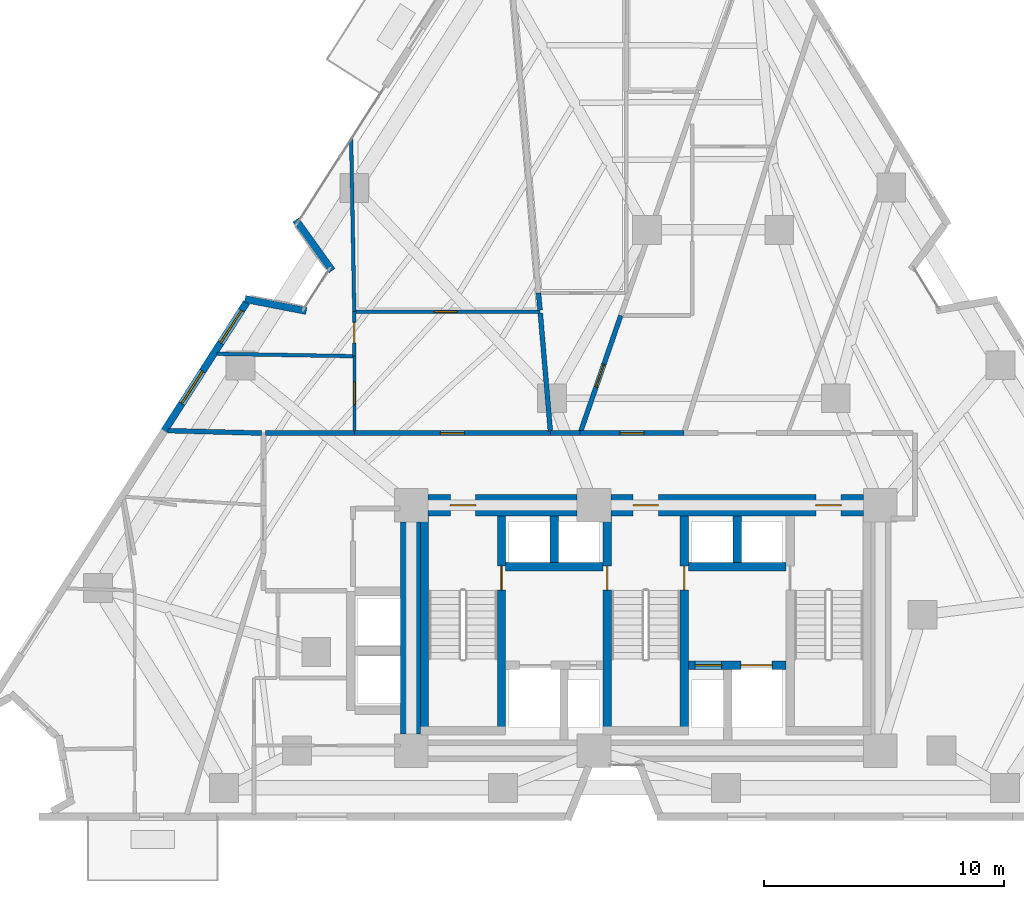
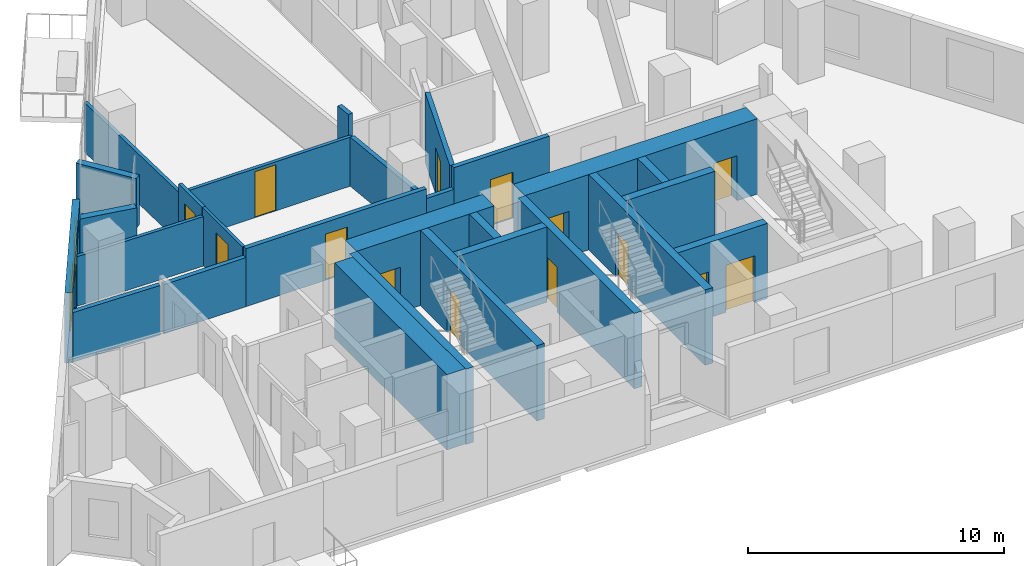
# One storey, part 7 of 13: 28 walls, 14 doors, 2 windows, 16 openings.
"""IFC4 building model written with IfcOpenShell, lengths in metres."""

from ifc_helpers import new_model, si_unit, direction, frame, frame_2d, origin, place, context, subcontext, project, spatial, rectangle, extrude, material, layer, layer_set, type_object, element, fill, save


model = new_model("IFC4")

# Units and contexts
model_context = context("Model", 3, precision=1e-05, world=origin(), true_north=direction((0.0, 1.0)))
body_context = subcontext(model_context, "Body", "Model", "MODEL_VIEW")
ifc_project = project(units=[si_unit("LENGTHUNIT", "METRE"), si_unit("AREAUNIT", "SQUARE_METRE"), si_unit("VOLUMEUNIT", "CUBIC_METRE"), si_unit("PLANEANGLEUNIT", "RADIAN"), si_unit("MASSUNIT", "GRAM", prefix="KILO")], contexts=[model_context])

# Site, building, storey
site_placement = place(None, origin())
site = spatial("IfcSite", under=ifc_project, at=site_placement, CompositionType="ELEMENT")
building_placement = place(site_placement, origin())
building = spatial("IfcBuilding", under=site, at=building_placement, Name="Almagre Mirador Tower", CompositionType="ELEMENT")
storey_placement = place(building_placement, frame((0.0, 0.0, 89.39990234375)))
storey = spatial("IfcBuildingStorey", under=building, at=storey_placement, Name="L22", CompositionType="ELEMENT", Elevation=89.39990234375)

# Walls
ifc_material_1 = material(Name="Precast concrete C50/60", Category="concrete")
ifc_layer_1 = layer(ifc_material_1, 0.300048828125)
ifc_layer_set_1 = layer_set([ifc_layer_1], Name="Precast concrete C50/60")
wall_type_1 = type_object("IfcWallType", Name="WAL-EXT-300", PredefinedType="SOLIDWALL", material=ifc_layer_set_1)
wall_1_placement = place(storey_placement, frame((20.6376953125, 23.32666015625, 0.0), z_axis=(0.0, 0.0, 1.0), x_axis=(0.981760587394, -0.190121406053, 0.0)))
element("IfcWall", 1, at=wall_1_placement, inside=storey, type_object=wall_type_1, Name="L22 expressed almagre precast frame wall 01", PredefinedType="SOLIDWALL", context=body_context, shape_type="SweptSolid", body=[
    extrude(rectangle(XDim=2.593994140625, YDim=0.300048828125, at=frame_2d((1.296875, 0.0))), origin(), (0.0, 0.0, 1.0), 2.375),
])
wall_2_placement = place(storey_placement, frame((24.255615234375, 24.50634765625, 0.0), z_axis=(0.0, 0.0, 1.0), x_axis=(-0.58299973372, 0.812472344442, 0.0)))
element("IfcWall", 2, at=wall_2_placement, inside=storey, type_object=wall_type_1, Name="L22 expressed almagre precast frame wall 02", PredefinedType="SOLIDWALL", context=body_context, shape_type="SweptSolid", body=[
    extrude(rectangle(XDim=2.59375, YDim=0.300048828125, at=frame_2d((1.296875, 0.0))), origin(), (0.0, 0.0, 1.0), 2.375),
])

# Wall, openings, windows
wall_3_placement = place(storey_placement, frame((17.25146484375, 17.80029296875, 0.0), z_axis=(0.0, 0.0, 1.0), x_axis=(0.539458702909, 0.84201205921, 0.0)))
wall_3 = element("IfcWall", 3, at=wall_3_placement, inside=storey, type_object=wall_type_1, Name="L22 expressed almagre precast frame wall 35", PredefinedType="SOLIDWALL", context=body_context, shape_type="SweptSolid", body=[
    extrude(rectangle(XDim=6.396484375, YDim=0.300048828125, at=frame_2d((3.1982421875, 0.0))), origin(), (0.0, 0.0, 1.0), 3.35009765625),
])
opening_1_placement = place(wall_3_placement, frame((4.39990234375, 0.0, 0.550048828125)))
opening_1 = element("IfcOpeningElement", 4, at=opening_1_placement, cuts=wall_3, Name="Opening WN-06", PredefinedType="OPENING", context=body_context, shape_type="SweptSolid", body=[
    extrude(rectangle(XDim=1.60009765625, YDim=2.199951171875, at=frame_2d((0.800048828125, 1.10009765625))), frame((0.0, 0.159902, 0.0), z_axis=(0.0, -1.0, 0.0), x_axis=(1.0, 0.0, 0.0)), (0.0, 0.0, 1.0), 0.320049),
])
opening_2_placement = place(wall_3_placement, frame((1.39990234375, 0.0, 0.550048828125)))
opening_2 = element("IfcOpeningElement", 5, at=opening_2_placement, cuts=wall_3, Name="Opening WN-06", PredefinedType="OPENING", context=body_context, shape_type="SweptSolid", body=[
    extrude(rectangle(XDim=1.60009765625, YDim=2.199951171875, at=frame_2d((0.800048828125, 1.10009765625))), frame((0.0, 0.159902, 0.0), z_axis=(0.0, -1.0, 0.0), x_axis=(1.0, 0.0, 0.0)), (0.0, 0.0, 1.0), 0.320049),
])
ifc_material_2 = material(Name="Dark solar-control laminated hurricane glass", Category="glass")
window_type = type_object("IfcWindowType", Name="WIN-1600X2200", PartitioningType="DOUBLE_PANEL_VERTICAL", PredefinedType="WINDOW", material=ifc_material_2)
window_1_placement = place(opening_1_placement, origin())
window_1 = element("IfcWindow", 6, at=window_1_placement, inside=storey, type_object=window_type, Name="L22 recessed hurricane window L22-UF-HB", OverallHeight=2.199951171875, OverallWidth=1.60009765625, PartitioningType="SINGLE_PANEL", PredefinedType="WINDOW", context=body_context, shape_type="SweptSolid", body=[
    extrude(rectangle(XDim=1.60009765625, YDim=2.199951171875, at=frame_2d((0.800048828125, 1.10009765625))), frame((0.0, 0.030029296875, 0.0), z_axis=(0.0, -1.0, 0.0), x_axis=(1.0, 0.0, 0.0)), (0.0, 0.0, 1.0), 0.06005859375),
])
fill(opening_1, window_1)
window_2_placement = place(opening_2_placement, origin())
window_2 = element("IfcWindow", 7, at=window_2_placement, inside=storey, type_object=window_type, Name="L22 recessed hurricane window L22-UF-KT", OverallHeight=2.199951171875, OverallWidth=1.60009765625, PartitioningType="SINGLE_PANEL", PredefinedType="WINDOW", context=body_context, shape_type="SweptSolid", body=[
    extrude(rectangle(XDim=1.60009765625, YDim=2.199951171875, at=frame_2d((0.800048828125, 1.10009765625))), frame((0.0, 0.030029296875, 0.0), z_axis=(0.0, -1.0, 0.0), x_axis=(1.0, 0.0, 0.0)), (0.0, 0.0, 1.0), 0.06005859375),
])
fill(opening_2, window_2)

# Wall, opening, door
ifc_material_3 = material(Name="Gypsum acoustic stud partition", Category="other")
ifc_layer_2 = layer(ifc_material_3, 0.125)
ifc_layer_set_2 = layer_set([ifc_layer_2], Name="Gypsum acoustic stud partition")
wall_type_2 = type_object("IfcWallType", Name="WAL-PRT-125-UTL", PredefinedType="PARTITIONING", material=ifc_layer_set_2)
wall_4_placement = place(storey_placement, frame((25.179931640625, 20.949951171875, 0.0), z_axis=(0.0, 0.0, 1.0), x_axis=(0.0, -1.0, 0.0)))
wall_4 = element("IfcWall", 8, at=wall_4_placement, inside=storey, type_object=wall_type_2, Name="L22 interior partition 039", PredefinedType="PARTITIONING", context=body_context, shape_type="SweptSolid", body=[
    extrude(rectangle(XDim=3.114990234375, YDim=0.125, at=frame_2d((1.5576171875, 0.0))), origin(), (0.0, 0.0, 1.0), 2.77099609375),
])
opening_3_placement = place(wall_4_placement, frame((1.067138671875, 0.0, 0.0)))
opening_3 = element("IfcOpeningElement", 9, at=opening_3_placement, cuts=wall_4, Name="Opening UD-01", PredefinedType="OPENING", context=body_context, shape_type="SweptSolid", body=[
    extrude(rectangle(XDim=0.949951171875, YDim=2.199951171875, at=frame_2d((0.47509765625, 1.10009765625))), frame((0.0, 0.0725, 0.0), z_axis=(0.0, -1.0, 0.0), x_axis=(1.0, 0.0, 0.0)), (0.0, 0.0, 1.0), 0.145),
])
ifc_material_4 = material(Name="Solid American walnut timber", Category="wood")
door_type_1 = type_object("IfcDoorType", Name="DOR-UNR-950X2200", OperationType="NOTDEFINED", PredefinedType="DOOR", material=ifc_material_4)
door_1_placement = place(opening_3_placement, origin())
door_1 = element("IfcDoor", 10, at=door_1_placement, inside=storey, type_object=door_type_1, Name="DR-0756 L22 interior door L22-UF-ST to L22-UF-KT", OperationType="SINGLE_SWING_LEFT", OverallHeight=2.199951171875, OverallWidth=0.949951171875, PredefinedType="DOOR", context=body_context, shape_type="SweptSolid", body=[
    extrude(rectangle(XDim=0.949951171875, YDim=2.199951171875, at=frame_2d((0.47509765625, 1.10009765625))), frame((0.0, 0.02490234375, 0.0), z_axis=(0.0, -1.0, 0.0), x_axis=(1.0, 0.0, 0.0)), (0.0, 0.0, 1.0), 0.050048828125),
])
fill(opening_3, door_1)

ifc_material_5 = material(Name="Gypsum acoustic stud partition", Category="other")
ifc_layer_3 = layer(ifc_material_5, 0.14990234375)
ifc_layer_set_3 = layer_set([ifc_layer_3], Name="Gypsum acoustic stud partition")
wall_type_3 = type_object("IfcWallType", Name="WAL-PRT-150-STD", PredefinedType="PARTITIONING", material=ifc_layer_set_3)
wall_5_placement = place(storey_placement, frame((25.179931640625, 22.800048828125, 0.0), z_axis=(0.0, 0.0, 1.0), x_axis=(0.0, -1.0, 0.0)))
wall_5 = element("IfcWall", 11, at=wall_5_placement, inside=storey, type_object=wall_type_3, Name="L22 interior partition 038", PredefinedType="PARTITIONING", context=body_context, shape_type="SweptSolid", body=[
    extrude(rectangle(XDim=1.85009765625, YDim=0.14990234375, at=frame_2d((0.925048828125, 0.0))), origin(), (0.0, 0.0, 1.0), 2.77099609375),
])
opening_4_placement = place(wall_5_placement, frame((0.448486328125, 0.0, 0.0)))
opening_4 = element("IfcOpeningElement", 12, at=opening_4_placement, cuts=wall_5, Name="Opening UD-04", PredefinedType="OPENING", context=body_context, shape_type="SweptSolid", body=[
    extrude(rectangle(XDim=0.85009765625, YDim=2.10009765625, at=frame_2d((0.425048828125, 1.050048828125))), frame((0.0, 0.084951, 0.0), z_axis=(0.0, -1.0, 0.0), x_axis=(1.0, 0.0, 0.0)), (0.0, 0.0, 1.0), 0.169902),
])
ifc_material_6 = material(Name="Moisture-resistant oak timber", Category="wood")
door_type_2 = type_object("IfcDoorType", Name="DOR-UNR-850X2100", OperationType="NOTDEFINED", PredefinedType="DOOR", material=ifc_material_6)
door_2_placement = place(opening_4_placement, origin())
door_2 = element("IfcDoor", 13, at=door_2_placement, inside=storey, type_object=door_type_2, Name="DR-0757 L22 interior door L22-UF-ST to L22-UF-HB", OperationType="SINGLE_SWING_RIGHT", OverallHeight=2.10009765625, OverallWidth=0.85009765625, PredefinedType="DOOR", context=body_context, shape_type="SweptSolid", body=[
    extrude(rectangle(XDim=0.85009765625, YDim=2.10009765625, at=frame_2d((0.425048828125, 1.050048828125))), frame((0.0, 0.02490234375, 0.0), z_axis=(0.0, -1.0, 0.0), x_axis=(1.0, 0.0, 0.0)), (0.0, 0.0, 1.0), 0.050048828125),
])
fill(opening_4, door_2)

wall_6_placement = place(storey_placement, frame((32.909912109375, 22.800048828125, 0.0), z_axis=(0.0, 0.0, 1.0), x_axis=(-1.0, 0.0, 0.0)))
wall_6 = element("IfcWall", 14, at=wall_6_placement, inside=storey, type_object=wall_type_3, Name="L22 interior partition 040", PredefinedType="PARTITIONING", context=body_context, shape_type="SweptSolid", body=[
    extrude(rectangle(XDim=7.669921875, YDim=0.14990234375, at=frame_2d((3.8349609375, 0.0))), origin(), (0.0, 0.0, 1.0), 2.34521484375),
])
opening_5_placement = place(wall_6_placement, frame((3.44921875, 0.0, 0.0)))
opening_5 = element("IfcOpeningElement", 15, at=opening_5_placement, cuts=wall_6, Name="Opening UD-01", PredefinedType="OPENING", context=body_context, shape_type="SweptSolid", body=[
    extrude(rectangle(XDim=0.949951171875, YDim=2.199951171875, at=frame_2d((0.47509765625, 1.10009765625))), frame((0.0, 0.084951, 0.0), z_axis=(0.0, -1.0, 0.0), x_axis=(1.0, 0.0, 0.0)), (0.0, 0.0, 1.0), 0.169902),
])
door_3_placement = place(opening_5_placement, origin())
door_3 = element("IfcDoor", 16, at=door_3_placement, inside=storey, type_object=door_type_1, Name="DR-0766 L22 interior door L22-UF-ST to L22-UF-SL1", OperationType="SINGLE_SWING_RIGHT", OverallHeight=2.199951171875, OverallWidth=0.949951171875, PredefinedType="DOOR", context=body_context, shape_type="SweptSolid", body=[
    extrude(rectangle(XDim=0.949951171875, YDim=2.199951171875, at=frame_2d((0.47509765625, 1.10009765625))), frame((0.0, 0.02490234375, 0.0), z_axis=(0.0, -1.0, 0.0), x_axis=(1.0, 0.0, 0.0)), (0.0, 0.0, 1.0), 0.050048828125),
])
fill(opening_5, door_3)

# Walls
wall_7_placement = place(storey_placement, frame((19.471923828125, 21.048095703125, 0.0), z_axis=(0.0, 0.0, 1.0), x_axis=(0.999851310631, -0.017244031681, 0.0)))
element("IfcWall", 17, at=wall_7_placement, inside=storey, type_object=wall_type_3, Name="L22 interior partition 042", PredefinedType="PARTITIONING", context=body_context, shape_type="SweptSolid", body=[
    extrude(rectangle(XDim=5.64892578125, YDim=0.14990234375, at=frame_2d((2.824462890625, 0.0))), origin(), (0.0, 0.0, 1.0), 2.3701171875),
])
wall_8_placement = place(storey_placement, frame((25.179931640625, 22.800048828125, 0.0), z_axis=(0.0, 0.0, 1.0), x_axis=(-0.018104588305, 0.999836098509, 0.0)))
element("IfcWall", 18, at=wall_8_placement, inside=storey, type_object=wall_type_3, Name="L22 interior partition 043", PredefinedType="PARTITIONING", context=body_context, shape_type="SweptSolid", body=[
    extrude(rectangle(XDim=7.174072265625, YDim=0.14990234375, at=frame_2d((3.5869140625, 0.0))), origin(), (0.0, 0.0, 1.0), 2.3701171875),
])

# Wall, opening, door
ifc_material_7 = material(Name="Gypsum acoustic stud partition", Category="other")
ifc_layer_4 = layer(ifc_material_7, 0.199951171875)
ifc_layer_set_4 = layer_set([ifc_layer_4], Name="Gypsum acoustic stud partition")
wall_type_4 = type_object("IfcWallType", Name="WAL-PRT-200-EI60", PredefinedType="PARTITIONING", material=ifc_layer_set_4)
wall_9_placement = place(storey_placement, frame((33.340087890625, 17.75, 0.0), z_axis=(0.0, 0.0, 1.0), x_axis=(-1.0, 0.0, 0.0)))
wall_9 = element("IfcWall", 19, at=wall_9_placement, inside=storey, type_object=wall_type_4, Name="L22 interior partition 010", PredefinedType="PARTITIONING", context=body_context, shape_type="SweptSolid", body=[
    extrude(rectangle(XDim=8.16015625, YDim=0.199951171875, at=frame_2d((4.080078125, 0.0))), origin(), (0.0, 0.0, 1.0), 2.77099609375),
])
opening_6_placement = place(wall_9_placement, frame((3.580078125, 0.0, 0.0)))
opening_6 = element("IfcOpeningElement", 20, at=opening_6_placement, cuts=wall_9, Name="Opening ID-01", PredefinedType="OPENING", context=body_context, shape_type="SweptSolid", body=[
    extrude(rectangle(XDim=1.0, YDim=2.199951171875, at=frame_2d((0.5, 1.10009765625))), frame((0.0, 0.110098, 0.0), z_axis=(0.0, -1.0, 0.0), x_axis=(1.0, 0.0, 0.0)), (0.0, 0.0, 1.0), 0.219951),
])
ifc_material_8 = material(Name="Fire-rated walnut timber", Category="wood")
door_type_3 = type_object("IfcDoorType", Name="DOR-FD60-1000X2200", OperationType="NOTDEFINED", PredefinedType="DOOR", material=ifc_material_8)
door_4_placement = place(opening_6_placement, origin())
door_4 = element("IfcDoor", 21, at=door_4_placement, inside=storey, type_object=door_type_3, Name="DR-0755 L22 interior door L22-RCOR to L22-UF-ST", OperationType="SINGLE_SWING_RIGHT", OverallHeight=2.199951171875, OverallWidth=1.0, PredefinedType="DOOR", context=body_context, shape_type="SweptSolid", body=[
    extrude(rectangle(XDim=1.0, YDim=2.199951171875, at=frame_2d((0.5, 1.10009765625))), frame((0.0, 0.02490234375, 0.0), z_axis=(0.0, -1.0, 0.0), x_axis=(1.0, 0.0, 0.0)), (0.0, 0.0, 1.0), 0.050048828125),
])
fill(opening_6, door_4)

# Walls
wall_10_placement = place(storey_placement, frame((25.179931640625, 17.75, 0.0), z_axis=(0.0, 0.0, 1.0), x_axis=(-1.0, 0.0, 0.0)))
element("IfcWall", 22, at=wall_10_placement, inside=storey, type_object=wall_type_4, Name="L22 interior partition 011", PredefinedType="PARTITIONING", context=body_context, shape_type="SweptSolid", body=[
    extrude(rectangle(XDim=3.69482421875, YDim=0.199951171875, at=frame_2d((1.847412109375, 0.0))), origin(), (0.0, 0.0, 1.0), 2.34521484375),
])
wall_11_placement = place(storey_placement, frame((34.570068359375, 17.75, 0.0), z_axis=(0.0, 0.0, 1.0), x_axis=(-1.0, 0.0, 0.0)))
element("IfcWall", 23, at=wall_11_placement, inside=storey, type_object=wall_type_4, Name="L22 interior partition 013", PredefinedType="PARTITIONING", context=body_context, shape_type="SweptSolid", body=[
    extrude(rectangle(XDim=1.22998046875, YDim=0.199951171875, at=frame_2d((0.614990234375, 0.0))), origin(), (0.0, 0.0, 1.0), 2.30908203125),
])

# Wall, opening, door
wall_12_placement = place(storey_placement, frame((38.889892578125, 17.75, 0.0), z_axis=(0.0, 0.0, 1.0), x_axis=(-1.0, 0.0, 0.0)))
wall_12 = element("IfcWall", 24, at=wall_12_placement, inside=storey, type_object=wall_type_4, Name="L22 interior partition 014", PredefinedType="PARTITIONING", context=body_context, shape_type="SweptSolid", body=[
    extrude(rectangle(XDim=4.31982421875, YDim=0.199951171875, at=frame_2d((2.159912109375, 0.0))), origin(), (0.0, 0.0, 1.0), 3.35009765625),
])
opening_7_placement = place(wall_12_placement, frame((1.659912109375, 0.0, 0.0)))
opening_7 = element("IfcOpeningElement", 25, at=opening_7_placement, cuts=wall_12, Name="Opening ID-01", PredefinedType="OPENING", context=body_context, shape_type="SweptSolid", body=[
    extrude(rectangle(XDim=1.0, YDim=2.199951171875, at=frame_2d((0.5, 1.10009765625))), frame((0.0, 0.110098, 0.0), z_axis=(0.0, -1.0, 0.0), x_axis=(1.0, 0.0, 0.0)), (0.0, 0.0, 1.0), 0.219951),
])
door_5_placement = place(opening_7_placement, origin())
door_5 = element("IfcDoor", 26, at=door_5_placement, inside=storey, type_object=door_type_3, Name="DR-0761 L22 interior door L22-RCOR to L22-UJ-ST", OperationType="SINGLE_SWING_LEFT", OverallHeight=2.199951171875, OverallWidth=1.0, PredefinedType="DOOR", context=body_context, shape_type="SweptSolid", body=[
    extrude(rectangle(XDim=1.0, YDim=2.199951171875, at=frame_2d((0.5, 1.10009765625))), frame((0.0, 0.02490234375, 0.0), z_axis=(0.0, -1.0, 0.0), x_axis=(1.0, 0.0, 0.0)), (0.0, 0.0, 1.0), 0.050048828125),
])
fill(opening_7, door_5)

# Walls
wall_13_placement = place(storey_placement, frame((21.31494140625, 17.751708984375, 0.0), z_axis=(0.0, 0.0, 1.0), x_axis=(-0.999654223299, 0.02629512961, 0.0)))
element("IfcWall", 27, at=wall_13_placement, inside=storey, type_object=wall_type_4, Name="L22 interior partition 032", PredefinedType="PARTITIONING", context=body_context, shape_type="SweptSolid", body=[
    extrude(rectangle(XDim=3.890380859375, YDim=0.199951171875, at=frame_2d((1.9453125, 0.0))), origin(), (0.0, 0.0, 1.0), 2.3701171875),
])
wall_14_placement = place(storey_placement, frame((33.332763671875, 17.834716796875, 0.0), z_axis=(0.0, 0.0, 1.0), x_axis=(-0.08484696782, 0.996393994388, 0.0)))
element("IfcWall", 28, at=wall_14_placement, inside=storey, type_object=wall_type_4, Name="L22 interior partition 041", PredefinedType="PARTITIONING", context=body_context, shape_type="SweptSolid", body=[
    extrude(rectangle(XDim=4.92333984375, YDim=0.199951171875, at=frame_2d((2.461669921875, 0.0))), origin(), (0.0, 0.0, 1.0), 2.34521484375),
])
wall_15_placement = place(storey_placement, frame((32.904541015625, 22.85986328125, 0.0), z_axis=(0.0, 0.0, 1.0), x_axis=(-0.089135306775, 0.996019526458, 0.0)))
element("IfcWall", 29, at=wall_15_placement, inside=storey, type_object=wall_type_4, Name="L22 interior partition 045", PredefinedType="PARTITIONING", context=body_context, shape_type="SweptSolid", body=[
    extrude(rectangle(XDim=0.72314453125, YDim=0.199951171875, at=frame_2d((0.361572265625, 0.0))), origin(), (0.0, 0.0, 1.0), 3.35009765625),
])

# Wall, opening, door
wall_16_placement = place(storey_placement, frame((34.597900390625, 17.830322265625, 0.0), z_axis=(0.0, 0.0, 1.0), x_axis=(0.326629354312, 0.945152508806, 0.0)))
wall_16 = element("IfcWall", 30, at=wall_16_placement, inside=storey, type_object=wall_type_4, Name="L22 interior partition 057", PredefinedType="PARTITIONING", context=body_context, shape_type="SweptSolid", body=[
    extrude(rectangle(XDim=5.088623046875, YDim=0.199951171875, at=frame_2d((2.54443359375, 0.0))), origin(), (0.0, 0.0, 1.0), 3.35009765625),
])
opening_8_placement = place(wall_16_placement, frame((1.94287109375, 0.0, 0.0)))
opening_8 = element("IfcOpeningElement", 31, at=opening_8_placement, cuts=wall_16, Name="Opening ID-01", PredefinedType="OPENING", context=body_context, shape_type="SweptSolid", body=[
    extrude(rectangle(XDim=1.0, YDim=2.199951171875, at=frame_2d((0.5, 1.10009765625))), frame((0.0, 0.110098, 0.0), z_axis=(0.0, -1.0, 0.0), x_axis=(1.0, 0.0, 0.0)), (0.0, 0.0, 1.0), 0.219951),
])
door_6_placement = place(opening_8_placement, origin())
door_6 = element("IfcDoor", 32, at=door_6_placement, inside=storey, type_object=door_type_3, Name="DR-0769 L22 interior door L22-UH-KT to L22-UJ-ST", OperationType="SINGLE_SWING_RIGHT", OverallHeight=2.199951171875, OverallWidth=1.0, PredefinedType="DOOR", context=body_context, shape_type="SweptSolid", body=[
    extrude(rectangle(XDim=1.0, YDim=2.199951171875, at=frame_2d((0.5, 1.10009765625))), frame((0.0, 0.02490234375, 0.0), z_axis=(0.0, -1.0, 0.0), x_axis=(1.0, 0.0, 0.0)), (0.0, 0.0, 1.0), 0.050048828125),
])
fill(opening_8, door_6)

# Wall
ifc_material_9 = material(Name="Concrete C60/75", Category="concrete")
ifc_layer_5 = layer(ifc_material_9, 0.35009765625)
ifc_layer_set_5 = layer_set([ifc_layer_5], Name="Concrete C60/75")
wall_type_5 = type_object("IfcWallType", Name="WAL-SHF-350", PredefinedType="SOLIDWALL", material=ifc_layer_set_5)
wall_17_placement = place(storey_placement, frame((28.10009765625, 5.199951171875, 0.0), z_axis=(0.0, 0.0, 1.0), x_axis=(0.0, 1.0, 0.0)))
element("IfcWall", 33, at=wall_17_placement, inside=storey, type_object=wall_type_5, Name="L22 shaft wall ST1-W", PredefinedType="SOLIDWALL", context=body_context, shape_type="SweptSolid", body=[
    extrude(rectangle(XDim=9.10009765625, YDim=0.35009765625, at=frame_2d((4.550048828125, 0.0))), origin(), (0.0, 0.0, 1.0), 3.60009765625),
])

# Wall, opening, door
wall_18_placement = place(storey_placement, frame((31.300048828125, 5.199951171875, 0.0), z_axis=(0.0, 0.0, 1.0), x_axis=(0.0, 1.0, 0.0)))
wall_18 = element("IfcWall", 34, at=wall_18_placement, inside=storey, type_object=wall_type_5, Name="L22 shaft wall ST1-E", PredefinedType="SOLIDWALL", context=body_context, shape_type="SweptSolid", body=[
    extrude(rectangle(XDim=9.10009765625, YDim=0.35009765625, at=frame_2d((4.550048828125, 0.0))), origin(), (0.0, 0.0, 1.0), 3.60009765625),
])
opening_9_placement = place(wall_18_placement, frame((6.02001953125, 0.0, 0.0)))
opening_9 = element("IfcOpeningElement", 35, at=opening_9_placement, cuts=wall_18, Name="Opening FD-01", PredefinedType="OPENING", context=body_context, shape_type="SweptSolid", body=[
    extrude(rectangle(XDim=1.0, YDim=2.14990234375, at=frame_2d((0.5, 1.074951171875))), frame((0.0, 0.185049, 0.0), z_axis=(0.0, -1.0, 0.0), x_axis=(1.0, 0.0, 0.0)), (0.0, 0.0, 1.0), 0.370098),
])
ifc_material_10 = material(Name="Fire-rated hollow steel", Category="steel")
door_type_4 = type_object("IfcDoorType", Name="DOR-FFL-1000X2150", OperationType="NOTDEFINED", PredefinedType="DOOR", material=ifc_material_10)
door_7_placement = place(opening_9_placement, origin())
door_7 = element("IfcDoor", 36, at=door_7_placement, inside=storey, type_object=door_type_4, Name="DR-0742 L22 FFL1-ST1 smokeproof door", OperationType="SINGLE_SWING_LEFT", OverallHeight=2.14990234375, OverallWidth=1.0, PredefinedType="DOOR", context=body_context, shape_type="SweptSolid", body=[
    extrude(rectangle(XDim=1.0, YDim=2.14990234375, at=frame_2d((0.5, 1.074951171875))), frame((0.0, 0.02490234375, 0.0), z_axis=(0.0, -1.0, 0.0), x_axis=(1.0, 0.0, 0.0)), (0.0, 0.0, 1.0), 0.050048828125),
])
fill(opening_9, door_7)

wall_19_placement = place(storey_placement, frame((35.699951171875, 5.199951171875, 0.0), z_axis=(0.0, 0.0, 1.0), x_axis=(0.0, 1.0, 0.0)))
wall_19 = element("IfcWall", 37, at=wall_19_placement, inside=storey, type_object=wall_type_5, Name="L22 shaft wall ST2-W", PredefinedType="SOLIDWALL", context=body_context, shape_type="SweptSolid", body=[
    extrude(rectangle(XDim=9.10009765625, YDim=0.35009765625, at=frame_2d((4.550048828125, 0.0))), origin(), (0.0, 0.0, 1.0), 3.60009765625),
])
opening_10_placement = place(wall_19_placement, frame((6.02001953125, 0.0, 0.0)))
opening_10 = element("IfcOpeningElement", 38, at=opening_10_placement, cuts=wall_19, Name="Opening FD-01", PredefinedType="OPENING", context=body_context, shape_type="SweptSolid", body=[
    extrude(rectangle(XDim=1.0, YDim=2.14990234375, at=frame_2d((0.5, 1.074951171875))), frame((0.0, 0.185049, 0.0), z_axis=(0.0, -1.0, 0.0), x_axis=(1.0, 0.0, 0.0)), (0.0, 0.0, 1.0), 0.370098),
])
door_8_placement = place(opening_10_placement, origin())
door_8 = element("IfcDoor", 39, at=door_8_placement, inside=storey, type_object=door_type_4, Name="DR-0743 L22 FFL1-ST2 smokeproof door", OperationType="SINGLE_SWING_RIGHT", OverallHeight=2.14990234375, OverallWidth=1.0, PredefinedType="DOOR", context=body_context, shape_type="SweptSolid", body=[
    extrude(rectangle(XDim=1.0, YDim=2.14990234375, at=frame_2d((0.5, 1.074951171875))), frame((0.0, 0.02490234375, 0.0), z_axis=(0.0, -1.0, 0.0), x_axis=(1.0, 0.0, 0.0)), (0.0, 0.0, 1.0), 0.050048828125),
])
fill(opening_10, door_8)

wall_20_placement = place(storey_placement, frame((38.89990234375, 5.199951171875, 0.0), z_axis=(0.0, 0.0, 1.0), x_axis=(0.0, 1.0, 0.0)))
wall_20 = element("IfcWall", 40, at=wall_20_placement, inside=storey, type_object=wall_type_5, Name="L22 shaft wall ST2-E", PredefinedType="SOLIDWALL", context=body_context, shape_type="SweptSolid", body=[
    extrude(rectangle(XDim=9.10009765625, YDim=0.35009765625, at=frame_2d((4.550048828125, 0.0))), origin(), (0.0, 0.0, 1.0), 3.60009765625),
])
opening_11_placement = place(wall_20_placement, frame((6.02001953125, 0.0, 0.0)))
opening_11 = element("IfcOpeningElement", 41, at=opening_11_placement, cuts=wall_20, Name="Opening FD-01", PredefinedType="OPENING", context=body_context, shape_type="SweptSolid", body=[
    extrude(rectangle(XDim=1.0, YDim=2.14990234375, at=frame_2d((0.5, 1.074951171875))), frame((0.0, 0.185049, 0.0), z_axis=(0.0, -1.0, 0.0), x_axis=(1.0, 0.0, 0.0)), (0.0, 0.0, 1.0), 0.370098),
])
door_9_placement = place(opening_11_placement, origin())
door_9 = element("IfcDoor", 42, at=door_9_placement, inside=storey, type_object=door_type_4, Name="DR-0744 L22 FFL2-ST2 smokeproof door", OperationType="SINGLE_SWING_LEFT", OverallHeight=2.14990234375, OverallWidth=1.0, PredefinedType="DOOR", context=body_context, shape_type="SweptSolid", body=[
    extrude(rectangle(XDim=1.0, YDim=2.14990234375, at=frame_2d((0.5, 1.074951171875))), frame((0.0, 0.02490234375, 0.0), z_axis=(0.0, -1.0, 0.0), x_axis=(1.0, 0.0, 0.0)), (0.0, 0.0, 1.0), 0.050048828125),
])
fill(opening_11, door_9)

# Wall, openings, doors
wall_21_placement = place(storey_placement, frame((39.074951171875, 8.10009765625, 0.0), z_axis=(0.0, 0.0, 1.0), x_axis=(1.0, 0.0, 0.0)))
wall_21 = element("IfcWall", 43, at=wall_21_placement, inside=storey, type_object=wall_type_5, Name="L22 shaft wall FSAE2-N", PredefinedType="SOLIDWALL", context=body_context, shape_type="SweptSolid", body=[
    extrude(rectangle(XDim=4.050048828125, YDim=0.35009765625, at=frame_2d((2.02490234375, 0.0))), origin(), (0.0, 0.0, 1.0), 3.60009765625),
])
opening_12_placement = place(wall_21_placement, frame((2.175048828125, 0.0, 0.0)))
opening_12 = element("IfcOpeningElement", 44, at=opening_12_placement, cuts=wall_21, Name="Opening LD-03", PredefinedType="OPENING", context=body_context, shape_type="SweptSolid", body=[
    extrude(rectangle(XDim=1.300048828125, YDim=2.25, at=frame_2d((0.64990234375, 1.125))), frame((0.0, 0.185049, 0.0), z_axis=(0.0, -1.0, 0.0), x_axis=(1.0, 0.0, 0.0)), (0.0, 0.0, 1.0), 0.370098),
])
opening_13_placement = place(wall_21_placement, frame((0.27490234375, 0.0, 0.0)))
opening_13 = element("IfcOpeningElement", 45, at=opening_13_placement, cuts=wall_21, Name="Opening LD-01", PredefinedType="OPENING", context=body_context, shape_type="SweptSolid", body=[
    extrude(rectangle(XDim=1.10009765625, YDim=2.199951171875, at=frame_2d((0.550048828125, 1.10009765625))), frame((0.0, 0.185049, 0.0), z_axis=(0.0, -1.0, 0.0), x_axis=(1.0, 0.0, 0.0)), (0.0, 0.0, 1.0), 0.370098),
])
ifc_material_11 = material(Name="Hollow stainless steel", Category="steel")
door_type_5 = type_object("IfcDoorType", Name="DOR-LD-1100X2200", OperationType="DOUBLE_DOOR_SLIDING", PredefinedType="DOOR", material=ifc_material_11)
door_10_placement = place(opening_13_placement, origin())
door_10 = element("IfcDoor", 46, at=door_10_placement, inside=storey, type_object=door_type_5, Name="DR-0775 L22 PL-L2 lift landing door", OperationType="DOUBLE_DOOR_SLIDING", OverallHeight=2.199951171875, OverallWidth=1.10009765625, PredefinedType="DOOR", context=body_context, shape_type="SweptSolid", body=[
    extrude(rectangle(XDim=1.10009765625, YDim=2.199951171875, at=frame_2d((0.550048828125, 1.10009765625))), frame((0.0, 0.02490234375, 0.0), z_axis=(0.0, -1.0, 0.0), x_axis=(1.0, 0.0, 0.0)), (0.0, 0.0, 1.0), 0.050048828125),
])
fill(opening_13, door_10)
ifc_material_12 = material(Name="Hollow stainless steel", Category="steel")
door_type_6 = type_object("IfcDoorType", Name="DOR-LD-1300X2250", OperationType="DOUBLE_DOOR_SLIDING", PredefinedType="DOOR", material=ifc_material_12)
door_11_placement = place(opening_12_placement, origin())
door_11 = element("IfcDoor", 47, at=door_11_placement, inside=storey, type_object=door_type_6, Name="DR-0773 L22 FSAE-2 lift landing door", OperationType="DOUBLE_DOOR_SLIDING", OverallHeight=2.25, OverallWidth=1.300048828125, PredefinedType="DOOR", context=body_context, shape_type="SweptSolid", body=[
    extrude(rectangle(XDim=1.300048828125, YDim=2.25, at=frame_2d((0.64990234375, 1.125))), frame((0.0, 0.02490234375, 0.0), z_axis=(0.0, -1.0, 0.0), x_axis=(1.0, 0.0, 0.0)), (0.0, 0.0, 1.0), 0.050048828125),
])
fill(opening_12, door_11)

# Walls
wall_22_placement = place(storey_placement, frame((31.47509765625, 12.199951171875, 0.0), z_axis=(0.0, 0.0, 1.0), x_axis=(1.0, 0.0, 0.0)))
element("IfcWall", 48, at=wall_22_placement, inside=storey, type_object=wall_type_5, Name="L22 shaft wall PLM-S", PredefinedType="SOLIDWALL", context=body_context, shape_type="SweptSolid", body=[
    extrude(rectangle(XDim=4.0498046875, YDim=0.35009765625, at=frame_2d((2.02490234375, 0.0))), origin(), (0.0, 0.0, 1.0), 3.60009765625),
])
wall_23_placement = place(storey_placement, frame((33.5, 12.375, 0.0), z_axis=(0.0, 0.0, 1.0), x_axis=(0.0, 1.0, 0.0)))
element("IfcWall", 49, at=wall_23_placement, inside=storey, type_object=wall_type_5, Name="L22 shaft wall PLM-M", PredefinedType="SOLIDWALL", context=body_context, shape_type="SweptSolid", body=[
    extrude(rectangle(XDim=1.925048828125, YDim=0.35009765625, at=frame_2d((0.96240234375, 0.0))), origin(), (0.0, 0.0, 1.0), 3.60009765625),
])
wall_24_placement = place(storey_placement, frame((39.074951171875, 12.199951171875, 0.0), z_axis=(0.0, 0.0, 1.0), x_axis=(1.0, 0.0, 0.0)))
element("IfcWall", 50, at=wall_24_placement, inside=storey, type_object=wall_type_5, Name="L22 shaft wall PLH-S", PredefinedType="SOLIDWALL", context=body_context, shape_type="SweptSolid", body=[
    extrude(rectangle(XDim=4.050048828125, YDim=0.35009765625, at=frame_2d((2.02490234375, 0.0))), origin(), (0.0, 0.0, 1.0), 3.60009765625),
])
wall_25_placement = place(storey_placement, frame((41.10009765625, 12.375, 0.0), z_axis=(0.0, 0.0, 1.0), x_axis=(0.0, 1.0, 0.0)))
element("IfcWall", 51, at=wall_25_placement, inside=storey, type_object=wall_type_5, Name="L22 shaft wall PLH-M", PredefinedType="SOLIDWALL", context=body_context, shape_type="SweptSolid", body=[
    extrude(rectangle(XDim=1.925048828125, YDim=0.35009765625, at=frame_2d((0.96240234375, 0.0))), origin(), (0.0, 0.0, 1.0), 3.60009765625),
])

# Wall, opening, door
ifc_material_13 = material(Name="Concrete C70/85", Category="concrete")
ifc_layer_6 = layer(ifc_material_13, 0.89990234375)
ifc_layer_set_6 = layer_set([ifc_layer_6], Name="Concrete C70/85")
wall_type_6 = type_object("IfcWallType", Name="WAL-SHR-900", PredefinedType="SHEAR", material=ifc_layer_set_6)
wall_26_placement = place(storey_placement, frame((28.25, 14.75, 0.0), z_axis=(0.0, 0.0, 1.0), x_axis=(1.0, 0.0, 0.0)))
wall_26 = element("IfcWall", 52, at=wall_26_placement, inside=storey, type_object=wall_type_6, Name="L22 core shear wall N1", PredefinedType="SHEAR", context=body_context, shape_type="SweptSolid", body=[
    extrude(rectangle(XDim=6.199951171875, YDim=0.89990234375, at=frame_2d((3.10009765625, 0.0))), origin(), (0.0, 0.0, 1.0), 3.60009765625),
])
opening_14_placement = place(wall_26_placement, frame((0.925048828125, 0.0, 0.0)))
opening_14 = element("IfcOpeningElement", 53, at=opening_14_placement, cuts=wall_26, Name="Opening SD-01", PredefinedType="OPENING", context=body_context, shape_type="SweptSolid", body=[
    extrude(rectangle(XDim=1.050048828125, YDim=2.14990234375, at=frame_2d((0.52490234375, 1.074951171875))), frame((0.0, 0.459951, 0.0), z_axis=(0.0, -1.0, 0.0), x_axis=(1.0, 0.0, 0.0)), (0.0, 0.0, 1.0), 0.919902),
])
ifc_material_14 = material(Name="Fire-rated hollow steel", Category="steel")
door_type_7 = type_object("IfcDoorType", Name="DOR-ST-1050X2150", OperationType="NOTDEFINED", PredefinedType="DOOR", material=ifc_material_14)
door_12_placement = place(opening_14_placement, origin())
door_12 = element("IfcDoor", 54, at=door_12_placement, inside=storey, type_object=door_type_7, Name="DR-0776 L22 protected exit stair ST-1 door", OperationType="SINGLE_SWING_RIGHT", OverallHeight=2.14990234375, OverallWidth=1.050048828125, PredefinedType="DOOR", context=body_context, shape_type="SweptSolid", body=[
    extrude(rectangle(XDim=1.050048828125, YDim=2.14990234375, at=frame_2d((0.52490234375, 1.074951171875))), frame((0.0, 0.02490234375, 0.0), z_axis=(0.0, -1.0, 0.0), x_axis=(1.0, 0.0, 0.0)), (0.0, 0.0, 1.0), 0.050048828125),
])
fill(opening_14, door_12)

# Wall, openings, doors
wall_27_placement = place(storey_placement, frame((35.85009765625, 14.75, 0.0), z_axis=(0.0, 0.0, 1.0), x_axis=(1.0, 0.0, 0.0)))
wall_27 = element("IfcWall", 55, at=wall_27_placement, inside=storey, type_object=wall_type_6, Name="L22 core shear wall N2", PredefinedType="SHEAR", context=body_context, shape_type="SweptSolid", body=[
    extrude(rectangle(XDim=10.5, YDim=0.89990234375, at=frame_2d((5.25, 0.0))), origin(), (0.0, 0.0, 1.0), 3.60009765625),
])
opening_15_placement = place(wall_27_placement, frame((0.925048828125, 0.0, 0.0)))
opening_15 = element("IfcOpeningElement", 56, at=opening_15_placement, cuts=wall_27, Name="Opening SD-01", PredefinedType="OPENING", context=body_context, shape_type="SweptSolid", body=[
    extrude(rectangle(XDim=1.050048828125, YDim=2.14990234375, at=frame_2d((0.52490234375, 1.074951171875))), frame((0.0, 0.459951, 0.0), z_axis=(0.0, -1.0, 0.0), x_axis=(1.0, 0.0, 0.0)), (0.0, 0.0, 1.0), 0.919902),
])
opening_16_placement = place(wall_27_placement, frame((8.52490234375, 0.0, 0.0)))
opening_16 = element("IfcOpeningElement", 57, at=opening_16_placement, cuts=wall_27, Name="Opening SD-01", PredefinedType="OPENING", context=body_context, shape_type="SweptSolid", body=[
    extrude(rectangle(XDim=1.050048828125, YDim=2.14990234375, at=frame_2d((0.52490234375, 1.074951171875))), frame((0.0, 0.459951, 0.0), z_axis=(0.0, -1.0, 0.0), x_axis=(1.0, 0.0, 0.0)), (0.0, 0.0, 1.0), 0.919902),
])
door_13_placement = place(opening_15_placement, origin())
door_13 = element("IfcDoor", 58, at=door_13_placement, inside=storey, type_object=door_type_7, Name="DR-0777 L22 protected exit stair ST-2 door", OperationType="SINGLE_SWING_RIGHT", OverallHeight=2.14990234375, OverallWidth=1.050048828125, PredefinedType="DOOR", context=body_context, shape_type="SweptSolid", body=[
    extrude(rectangle(XDim=1.050048828125, YDim=2.14990234375, at=frame_2d((0.52490234375, 1.074951171875))), frame((0.0, 0.02490234375, 0.0), z_axis=(0.0, -1.0, 0.0), x_axis=(1.0, 0.0, 0.0)), (0.0, 0.0, 1.0), 0.050048828125),
])
fill(opening_15, door_13)
door_14_placement = place(opening_16_placement, origin())
door_14 = element("IfcDoor", 59, at=door_14_placement, inside=storey, type_object=door_type_7, Name="DR-0778 L22 protected exit stair ST-3 door", OperationType="SINGLE_SWING_LEFT", OverallHeight=2.14990234375, OverallWidth=1.050048828125, PredefinedType="DOOR", context=body_context, shape_type="SweptSolid", body=[
    extrude(rectangle(XDim=1.050048828125, YDim=2.14990234375, at=frame_2d((0.52490234375, 1.074951171875))), frame((0.0, 0.02490234375, 0.0), z_axis=(0.0, -1.0, 0.0), x_axis=(1.0, 0.0, 0.0)), (0.0, 0.0, 1.0), 0.050048828125),
])
fill(opening_16, door_14)

# Wall
wall_28_placement = place(storey_placement, frame((27.550048828125, 5.25, 0.0), z_axis=(0.0, 0.0, 1.0), x_axis=(0.0, 1.0, 0.0)))
element("IfcWall", 60, at=wall_28_placement, inside=storey, type_object=wall_type_6, Name="L22 core shear wall W1", PredefinedType="SHEAR", context=body_context, shape_type="SweptSolid", body=[
    extrude(rectangle(XDim=8.800048828125, YDim=0.89990234375, at=frame_2d((4.39990234375, 0.0))), origin(), (0.0, 0.0, 1.0), 3.60009765625),
])

save(model, "model.ifc")
